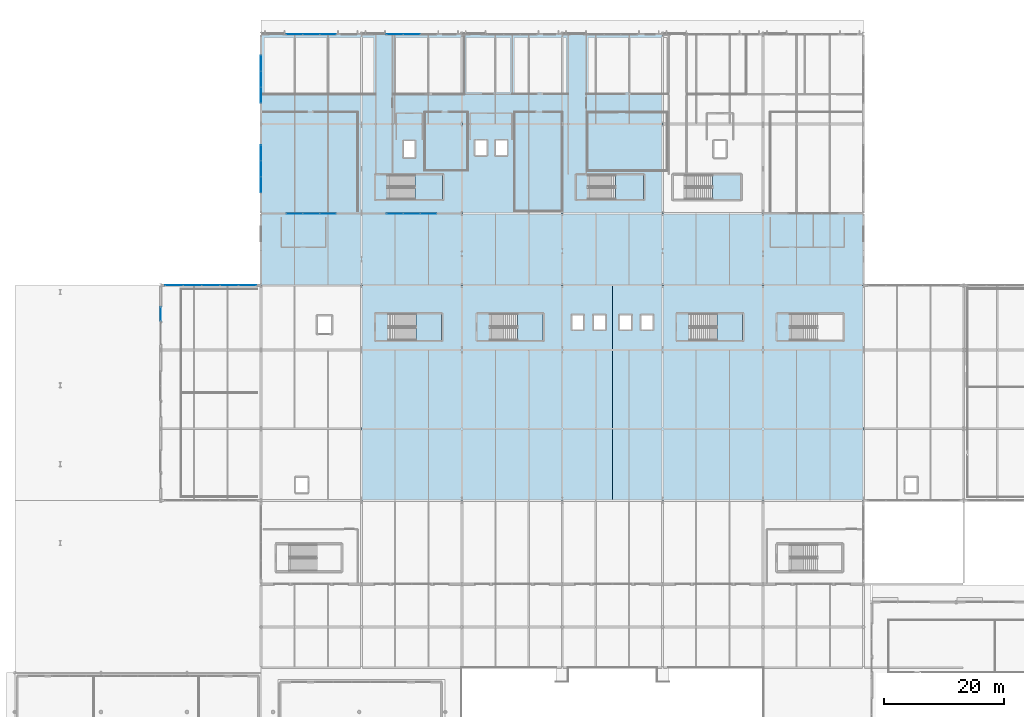
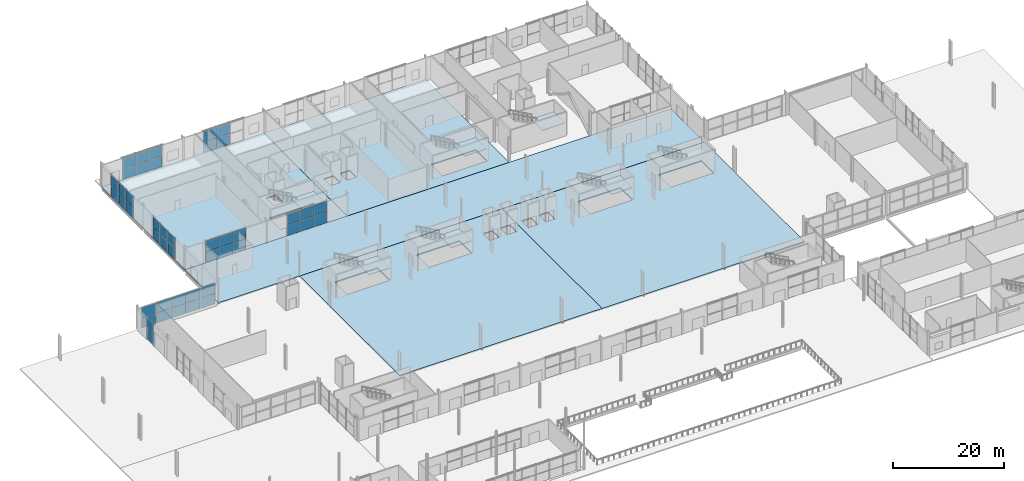
# One storey, part 54 of 87: 46 plates, 11 slabs, 14 elements without a shape of their own.
"""IFC4 building model written with IfcOpenShell, lengths in metres."""

from ifc_helpers import new_model, si_unit, direction, frame, origin, origin_2d, place, context, subcontext, project, spatial, polyline, rectangle, outline, extrude, material, layer, layer_set, type_object, element, aggregate, save


model = new_model("IFC4")

# Units and contexts
model_context = context("Model", 3, precision=1e-05, world=origin(), true_north=direction((0.0, 1.0)))
body_context = subcontext(model_context, "Body", "Model", "MODEL_VIEW")
ifc_project = project(units=[si_unit("LENGTHUNIT", "METRE"), si_unit("AREAUNIT", "SQUARE_METRE"), si_unit("VOLUMEUNIT", "CUBIC_METRE"), si_unit("PLANEANGLEUNIT", "RADIAN"), si_unit("MASSUNIT", "GRAM", prefix="KILO")], contexts=[model_context])

# Site, building, storey
site_placement = place(None, origin())
site = spatial("IfcSite", under=ifc_project, at=site_placement, CompositionType="ELEMENT")
building_placement = place(site_placement, origin())
building = spatial("IfcBuilding", under=site, at=building_placement, Name="Kimbaza Rail Terminus", CompositionType="ELEMENT")
storey_placement = place(building_placement, origin())
storey = spatial("IfcBuildingStorey", under=building, at=storey_placement, Name="L00", CompositionType="ELEMENT", Elevation=0.0)

# Curtain wall, plates
ifc_material_1 = material(Name="Anodised aluminium framing and solar low-E glazing", Category="aluminium")
curtain_wall_type_1 = type_object("IfcCurtainWallType", Name="ARC-CW-TH1", PredefinedType="USERDEFINED", material=ifc_material_1)
curtain_wall_1_placement = place(storey_placement, origin())
curtain_wall_1 = element("IfcCurtainWall", 1, at=curtain_wall_1_placement, inside=storey, type_object=curtain_wall_type_1, Name="Ticket Hall Wing W Curtain Wall L00.1", ObjectType="UNITISED CURTAIN WALL", PredefinedType="USERDEFINED")
ifc_material_2 = material(Name="Solar-control double low-E glazing", Category="glass")
ifc_layer_1 = layer(ifc_material_2, 0.035888671875)
ifc_layer_set_1 = layer_set([ifc_layer_1], Name="Solar-control double low-E glazing")
plate_type_1 = type_object("IfcPlateType", Name="ARC-CWP-01", PredefinedType="CURTAIN_PANEL", material=ifc_layer_set_1)
plate_1_placement = place(storey_placement, frame((40.6748046875, 91.0, 0.0751953125), z_axis=(0.0, 0.0, 1.0), x_axis=(1.0, 0.0, 0.0)))
plate_1 = element("IfcPlate", 2, at=plate_1_placement, type_object=plate_type_1, Name="CW-01 panel 1.1", PredefinedType="CURTAIN_PANEL", context=body_context, shape_type="SweptSolid", body=[
    extrude(rectangle(XDim=2.95947265625, YDim=0.035888671875, at=origin_2d()), origin(), (0.0, 0.0, 1.0), 2.199951171875),
])
plate_2_placement = place(storey_placement, frame((40.6748046875, 91.0, 2.35009765625), z_axis=(0.0, 0.0, 1.0), x_axis=(1.0, 0.0, 0.0)))
plate_2 = element("IfcPlate", 3, at=plate_2_placement, type_object=plate_type_1, Name="CW-01 panel 1.2", PredefinedType="CURTAIN_PANEL", context=body_context, shape_type="SweptSolid", body=[
    extrude(rectangle(XDim=2.95947265625, YDim=0.035888671875, at=origin_2d()), origin(), (0.0, 0.0, 1.0), 2.199951171875),
])
plate_3_placement = place(storey_placement, frame((43.72802734375, 91.0, 0.0751953125), z_axis=(0.0, 0.0, 1.0), x_axis=(1.0, 0.0, 0.0)))
plate_3 = element("IfcPlate", 4, at=plate_3_placement, type_object=plate_type_1, Name="CW-01 panel 2.1", PredefinedType="CURTAIN_PANEL", context=body_context, shape_type="SweptSolid", body=[
    extrude(rectangle(XDim=2.9970703125, YDim=0.035888671875, at=origin_2d()), origin(), (0.0, 0.0, 1.0), 2.199951171875),
])
plate_4_placement = place(storey_placement, frame((43.72802734375, 91.0, 2.35009765625), z_axis=(0.0, 0.0, 1.0), x_axis=(1.0, 0.0, 0.0)))
plate_4 = element("IfcPlate", 5, at=plate_4_placement, type_object=plate_type_1, Name="CW-01 panel 2.2", PredefinedType="CURTAIN_PANEL", context=body_context, shape_type="SweptSolid", body=[
    extrude(rectangle(XDim=2.9970703125, YDim=0.035888671875, at=origin_2d()), origin(), (0.0, 0.0, 1.0), 2.199951171875),
])
plate_5_placement = place(storey_placement, frame((46.800048828125, 91.0, 0.0751953125), z_axis=(0.0, 0.0, 1.0), x_axis=(1.0, 0.0, 0.0)))
plate_5 = element("IfcPlate", 6, at=plate_5_placement, type_object=plate_type_1, Name="CW-01 panel 3.1", PredefinedType="CURTAIN_PANEL", context=body_context, shape_type="SweptSolid", body=[
    extrude(rectangle(XDim=2.9970703125, YDim=0.035888671875, at=origin_2d()), origin(), (0.0, 0.0, 1.0), 2.199951171875),
])
plate_6_placement = place(storey_placement, frame((46.800048828125, 91.0, 2.35009765625), z_axis=(0.0, 0.0, 1.0), x_axis=(1.0, 0.0, 0.0)))
plate_6 = element("IfcPlate", 7, at=plate_6_placement, type_object=plate_type_1, Name="CW-01 panel 3.2", PredefinedType="CURTAIN_PANEL", context=body_context, shape_type="SweptSolid", body=[
    extrude(rectangle(XDim=2.9970703125, YDim=0.035888671875, at=origin_2d()), origin(), (0.0, 0.0, 1.0), 2.199951171875),
])
plate_7_placement = place(storey_placement, frame((49.8720703125, 91.0, 0.0751953125), z_axis=(0.0, 0.0, 1.0), x_axis=(1.0, 0.0, 0.0)))
plate_7 = element("IfcPlate", 8, at=plate_7_placement, type_object=plate_type_1, Name="CW-01 panel 4.1", PredefinedType="CURTAIN_PANEL", context=body_context, shape_type="SweptSolid", body=[
    extrude(rectangle(XDim=2.9970703125, YDim=0.035888671875, at=origin_2d()), origin(), (0.0, 0.0, 1.0), 2.199951171875),
])
plate_8_placement = place(storey_placement, frame((49.8720703125, 91.0, 2.35009765625), z_axis=(0.0, 0.0, 1.0), x_axis=(1.0, 0.0, 0.0)))
plate_8 = element("IfcPlate", 9, at=plate_8_placement, type_object=plate_type_1, Name="CW-01 panel 4.2", PredefinedType="CURTAIN_PANEL", context=body_context, shape_type="SweptSolid", body=[
    extrude(rectangle(XDim=2.9970703125, YDim=0.035888671875, at=origin_2d()), origin(), (0.0, 0.0, 1.0), 2.199951171875),
])
plate_9_placement = place(storey_placement, frame((52.92529296875, 91.0, 0.0751953125), z_axis=(0.0, 0.0, 1.0), x_axis=(1.0, 0.0, 0.0)))
plate_9 = element("IfcPlate", 10, at=plate_9_placement, type_object=plate_type_1, Name="CW-01 panel 5.1", PredefinedType="CURTAIN_PANEL", context=body_context, shape_type="SweptSolid", body=[
    extrude(rectangle(XDim=2.95947265625, YDim=0.035888671875, at=origin_2d()), origin(), (0.0, 0.0, 1.0), 2.199951171875),
])
plate_10_placement = place(storey_placement, frame((52.92529296875, 91.0, 2.35009765625), z_axis=(0.0, 0.0, 1.0), x_axis=(1.0, 0.0, 0.0)))
plate_10 = element("IfcPlate", 11, at=plate_10_placement, type_object=plate_type_1, Name="CW-01 panel 5.2", PredefinedType="CURTAIN_PANEL", context=body_context, shape_type="SweptSolid", body=[
    extrude(rectangle(XDim=2.95947265625, YDim=0.035888671875, at=origin_2d()), origin(), (0.0, 0.0, 1.0), 2.199951171875),
])
aggregate(curtain_wall_1, [plate_1, plate_2, plate_3, plate_4, plate_5, plate_6, plate_7, plate_8, plate_9, plate_10])

curtain_wall_2_placement = place(storey_placement, origin())
curtain_wall_2 = element("IfcCurtainWall", 12, at=curtain_wall_2_placement, inside=storey, type_object=curtain_wall_type_1, Name="Ticket Hall W Glazing L00.3", ObjectType="UNITISED CURTAIN WALL", PredefinedType="USERDEFINED")
plate_11_placement = place(storey_placement, frame((38.39990234375, 86.199951171875, 0.074951171875), z_axis=(0.0, 0.0, 1.0), x_axis=(0.0, 1.0, 0.0)))
plate_11 = element("IfcPlate", 13, at=plate_11_placement, type_object=plate_type_1, Name="CW-01 panel 1.1", PredefinedType="CURTAIN_PANEL", context=body_context, shape_type="SweptSolid", body=[
    extrude(rectangle(XDim=2.25, YDim=0.035888671875, at=origin_2d()), origin(), (0.0, 0.0, 1.0), 2.22509765625),
])
plate_12_placement = place(storey_placement, frame((38.39990234375, 86.199951171875, 2.375), z_axis=(0.0, 0.0, 1.0), x_axis=(0.0, 1.0, 0.0)))
plate_12 = element("IfcPlate", 14, at=plate_12_placement, type_object=plate_type_1, Name="CW-01 panel 1.2", PredefinedType="CURTAIN_PANEL", context=body_context, shape_type="SweptSolid", body=[
    extrude(rectangle(XDim=2.25, YDim=0.035888671875, at=origin_2d()), origin(), (0.0, 0.0, 1.0), 2.22509765625),
])
aggregate(curtain_wall_2, [plate_11, plate_12])

ifc_material_3 = material(Name="Anodised aluminium framing and solar low-E glazing", Category="aluminium")
curtain_wall_type_2 = type_object("IfcCurtainWallType", Name="ARC-CW-OP1", PredefinedType="USERDEFINED", material=ifc_material_3)
curtain_wall_3_placement = place(storey_placement, origin())
curtain_wall_3 = element("IfcCurtainWall", 15, at=curtain_wall_3_placement, inside=storey, type_object=curtain_wall_type_2, Name="Operations North Curtain Wall L00 Bay 1", ObjectType="UNITISED CURTAIN WALL", PredefinedType="USERDEFINED")
ifc_material_4 = material(Name="Solar-control double low-E glazing", Category="glass")
ifc_layer_2 = layer(ifc_material_4, 0.02490234375)
ifc_layer_set_2 = layer_set([ifc_layer_2], Name="Solar-control double low-E glazing")
plate_type_2 = type_object("IfcPlateType", Name="ARC-CWP-05", PredefinedType="CURTAIN_PANEL", material=ifc_layer_set_2)
plate_13_placement = place(storey_placement, frame((60.8154296875, 133.0, 0.06201171875), z_axis=(0.0, 0.0, 1.0), x_axis=(1.0, 0.0, 0.0)))
plate_13 = element("IfcPlate", 16, at=plate_13_placement, type_object=plate_type_2, Name="CW-05 panel 1.1", PredefinedType="CURTAIN_PANEL", context=body_context, shape_type="SweptSolid", body=[
    extrude(rectangle(XDim=2.70703125, YDim=0.02490234375, at=origin_2d()), origin(), (0.0, 0.0, 1.0), 2.28955078125),
])
plate_14_placement = place(storey_placement, frame((60.8154296875, 133.0, 2.41357421875), z_axis=(0.0, 0.0, 1.0), x_axis=(1.0, 0.0, 0.0)))
plate_14 = element("IfcPlate", 17, at=plate_14_placement, type_object=plate_type_2, Name="CW-05 panel 1.2", PredefinedType="CURTAIN_PANEL", context=body_context, shape_type="SweptSolid", body=[
    extrude(rectangle(XDim=2.70703125, YDim=0.02490234375, at=origin_2d()), origin(), (0.0, 0.0, 1.0), 2.28955078125),
])
plate_15_placement = place(storey_placement, frame((63.60009765625, 133.0, 0.06201171875), z_axis=(0.0, 0.0, 1.0), x_axis=(1.0, 0.0, 0.0)))
plate_15 = element("IfcPlate", 18, at=plate_15_placement, type_object=plate_type_2, Name="CW-05 panel 2.1", PredefinedType="CURTAIN_PANEL", context=body_context, shape_type="SweptSolid", body=[
    extrude(rectangle(XDim=2.738037109375, YDim=0.02490234375, at=origin_2d()), origin(), (0.0, 0.0, 1.0), 2.28955078125),
])
plate_16_placement = place(storey_placement, frame((63.60009765625, 133.0, 2.41357421875), z_axis=(0.0, 0.0, 1.0), x_axis=(1.0, 0.0, 0.0)))
plate_16 = element("IfcPlate", 19, at=plate_16_placement, type_object=plate_type_2, Name="CW-05 panel 2.2", PredefinedType="CURTAIN_PANEL", context=body_context, shape_type="SweptSolid", body=[
    extrude(rectangle(XDim=2.738037109375, YDim=0.02490234375, at=origin_2d()), origin(), (0.0, 0.0, 1.0), 2.28955078125),
])
plate_17_placement = place(storey_placement, frame((66.384521484375, 133.0, 0.06201171875), z_axis=(0.0, 0.0, 1.0), x_axis=(1.0, 0.0, 0.0)))
plate_17 = element("IfcPlate", 20, at=plate_17_placement, type_object=plate_type_2, Name="CW-05 panel 3.1", PredefinedType="CURTAIN_PANEL", context=body_context, shape_type="SweptSolid", body=[
    extrude(rectangle(XDim=2.70703125, YDim=0.02490234375, at=origin_2d()), origin(), (0.0, 0.0, 1.0), 2.28955078125),
])
plate_18_placement = place(storey_placement, frame((66.384521484375, 133.0, 2.41357421875), z_axis=(0.0, 0.0, 1.0), x_axis=(1.0, 0.0, 0.0)))
plate_18 = element("IfcPlate", 21, at=plate_18_placement, type_object=plate_type_2, Name="CW-05 panel 3.2", PredefinedType="CURTAIN_PANEL", context=body_context, shape_type="SweptSolid", body=[
    extrude(rectangle(XDim=2.70703125, YDim=0.02490234375, at=origin_2d()), origin(), (0.0, 0.0, 1.0), 2.28955078125),
])
aggregate(curtain_wall_3, [plate_13, plate_14, plate_15, plate_16, plate_17, plate_18])

curtain_wall_4_placement = place(storey_placement, origin())
curtain_wall_4 = element("IfcCurtainWall", 22, at=curtain_wall_4_placement, inside=storey, type_object=curtain_wall_type_2, Name="Operations North Curtain Wall L00 Bay 2", ObjectType="UNITISED CURTAIN WALL", PredefinedType="USERDEFINED")
plate_19_placement = place(storey_placement, frame((77.615478515625, 133.0, 0.06201171875), z_axis=(0.0, 0.0, 1.0), x_axis=(1.0, 0.0, 0.0)))
plate_19 = element("IfcPlate", 23, at=plate_19_placement, type_object=plate_type_2, Name="CW-05 panel 1.1", PredefinedType="CURTAIN_PANEL", context=body_context, shape_type="SweptSolid", body=[
    extrude(rectangle(XDim=2.70703125, YDim=0.02490234375, at=origin_2d()), origin(), (0.0, 0.0, 1.0), 2.28955078125),
])
plate_20_placement = place(storey_placement, frame((77.615478515625, 133.0, 2.41357421875), z_axis=(0.0, 0.0, 1.0), x_axis=(1.0, 0.0, 0.0)))
plate_20 = element("IfcPlate", 24, at=plate_20_placement, type_object=plate_type_2, Name="CW-05 panel 1.2", PredefinedType="CURTAIN_PANEL", context=body_context, shape_type="SweptSolid", body=[
    extrude(rectangle(XDim=2.70703125, YDim=0.02490234375, at=origin_2d()), origin(), (0.0, 0.0, 1.0), 2.28955078125),
])
plate_21_placement = place(storey_placement, frame((80.39990234375, 133.0, 0.06201171875), z_axis=(0.0, 0.0, 1.0), x_axis=(1.0, 0.0, 0.0)))
plate_21 = element("IfcPlate", 25, at=plate_21_placement, type_object=plate_type_2, Name="CW-05 panel 2.1", PredefinedType="CURTAIN_PANEL", context=body_context, shape_type="SweptSolid", body=[
    extrude(rectangle(XDim=2.738037109375, YDim=0.02490234375, at=origin_2d()), origin(), (0.0, 0.0, 1.0), 2.28955078125),
])
plate_22_placement = place(storey_placement, frame((80.39990234375, 133.0, 2.41357421875), z_axis=(0.0, 0.0, 1.0), x_axis=(1.0, 0.0, 0.0)))
plate_22 = element("IfcPlate", 26, at=plate_22_placement, type_object=plate_type_2, Name="CW-05 panel 2.2", PredefinedType="CURTAIN_PANEL", context=body_context, shape_type="SweptSolid", body=[
    extrude(rectangle(XDim=2.738037109375, YDim=0.02490234375, at=origin_2d()), origin(), (0.0, 0.0, 1.0), 2.28955078125),
])
aggregate(curtain_wall_4, [plate_19, plate_20, plate_21, plate_22])

curtain_wall_5_placement = place(storey_placement, origin())
curtain_wall_5 = element("IfcCurtainWall", 27, at=curtain_wall_5_placement, inside=storey, type_object=curtain_wall_type_2, Name="Operations South Curtain Wall L00 Bay 1", ObjectType="UNITISED CURTAIN WALL", PredefinedType="USERDEFINED")
plate_23_placement = place(storey_placement, frame((60.8154296875, 103.0, 0.06201171875), z_axis=(0.0, 0.0, 1.0), x_axis=(1.0, 0.0, 0.0)))
plate_23 = element("IfcPlate", 28, at=plate_23_placement, type_object=plate_type_2, Name="CW-05 panel 1.1", PredefinedType="CURTAIN_PANEL", context=body_context, shape_type="SweptSolid", body=[
    extrude(rectangle(XDim=2.70703125, YDim=0.02490234375, at=origin_2d()), origin(), (0.0, 0.0, 1.0), 2.28955078125),
])
plate_24_placement = place(storey_placement, frame((60.8154296875, 103.0, 2.41357421875), z_axis=(0.0, 0.0, 1.0), x_axis=(1.0, 0.0, 0.0)))
plate_24 = element("IfcPlate", 29, at=plate_24_placement, type_object=plate_type_2, Name="CW-05 panel 1.2", PredefinedType="CURTAIN_PANEL", context=body_context, shape_type="SweptSolid", body=[
    extrude(rectangle(XDim=2.70703125, YDim=0.02490234375, at=origin_2d()), origin(), (0.0, 0.0, 1.0), 2.28955078125),
])
plate_25_placement = place(storey_placement, frame((63.60009765625, 103.0, 0.06201171875), z_axis=(0.0, 0.0, 1.0), x_axis=(1.0, 0.0, 0.0)))
plate_25 = element("IfcPlate", 30, at=plate_25_placement, type_object=plate_type_2, Name="CW-05 panel 2.1", PredefinedType="CURTAIN_PANEL", context=body_context, shape_type="SweptSolid", body=[
    extrude(rectangle(XDim=2.738037109375, YDim=0.02490234375, at=origin_2d()), origin(), (0.0, 0.0, 1.0), 2.28955078125),
])
plate_26_placement = place(storey_placement, frame((63.60009765625, 103.0, 2.41357421875), z_axis=(0.0, 0.0, 1.0), x_axis=(1.0, 0.0, 0.0)))
plate_26 = element("IfcPlate", 31, at=plate_26_placement, type_object=plate_type_2, Name="CW-05 panel 2.2", PredefinedType="CURTAIN_PANEL", context=body_context, shape_type="SweptSolid", body=[
    extrude(rectangle(XDim=2.738037109375, YDim=0.02490234375, at=origin_2d()), origin(), (0.0, 0.0, 1.0), 2.28955078125),
])
plate_27_placement = place(storey_placement, frame((66.384521484375, 103.0, 0.06201171875), z_axis=(0.0, 0.0, 1.0), x_axis=(1.0, 0.0, 0.0)))
plate_27 = element("IfcPlate", 32, at=plate_27_placement, type_object=plate_type_2, Name="CW-05 panel 3.1", PredefinedType="CURTAIN_PANEL", context=body_context, shape_type="SweptSolid", body=[
    extrude(rectangle(XDim=2.70703125, YDim=0.02490234375, at=origin_2d()), origin(), (0.0, 0.0, 1.0), 2.28955078125),
])
plate_28_placement = place(storey_placement, frame((66.384521484375, 103.0, 2.41357421875), z_axis=(0.0, 0.0, 1.0), x_axis=(1.0, 0.0, 0.0)))
plate_28 = element("IfcPlate", 33, at=plate_28_placement, type_object=plate_type_2, Name="CW-05 panel 3.2", PredefinedType="CURTAIN_PANEL", context=body_context, shape_type="SweptSolid", body=[
    extrude(rectangle(XDim=2.70703125, YDim=0.02490234375, at=origin_2d()), origin(), (0.0, 0.0, 1.0), 2.28955078125),
])
aggregate(curtain_wall_5, [plate_23, plate_24, plate_25, plate_26, plate_27, plate_28])

curtain_wall_6_placement = place(storey_placement, origin())
curtain_wall_6 = element("IfcCurtainWall", 34, at=curtain_wall_6_placement, inside=storey, type_object=curtain_wall_type_2, Name="Operations South Curtain Wall L00 Bay 2", ObjectType="UNITISED CURTAIN WALL", PredefinedType="USERDEFINED")
plate_29_placement = place(storey_placement, frame((77.615478515625, 103.0, 0.06201171875), z_axis=(0.0, 0.0, 1.0), x_axis=(1.0, 0.0, 0.0)))
plate_29 = element("IfcPlate", 35, at=plate_29_placement, type_object=plate_type_2, Name="CW-05 panel 1.1", PredefinedType="CURTAIN_PANEL", context=body_context, shape_type="SweptSolid", body=[
    extrude(rectangle(XDim=2.70703125, YDim=0.02490234375, at=origin_2d()), origin(), (0.0, 0.0, 1.0), 2.28955078125),
])
plate_30_placement = place(storey_placement, frame((77.615478515625, 103.0, 2.41357421875), z_axis=(0.0, 0.0, 1.0), x_axis=(1.0, 0.0, 0.0)))
plate_30 = element("IfcPlate", 36, at=plate_30_placement, type_object=plate_type_2, Name="CW-05 panel 1.2", PredefinedType="CURTAIN_PANEL", context=body_context, shape_type="SweptSolid", body=[
    extrude(rectangle(XDim=2.70703125, YDim=0.02490234375, at=origin_2d()), origin(), (0.0, 0.0, 1.0), 2.28955078125),
])
plate_31_placement = place(storey_placement, frame((80.39990234375, 103.0, 0.06201171875), z_axis=(0.0, 0.0, 1.0), x_axis=(1.0, 0.0, 0.0)))
plate_31 = element("IfcPlate", 37, at=plate_31_placement, type_object=plate_type_2, Name="CW-05 panel 2.1", PredefinedType="CURTAIN_PANEL", context=body_context, shape_type="SweptSolid", body=[
    extrude(rectangle(XDim=2.738037109375, YDim=0.02490234375, at=origin_2d()), origin(), (0.0, 0.0, 1.0), 2.28955078125),
])
plate_32_placement = place(storey_placement, frame((80.39990234375, 103.0, 2.41357421875), z_axis=(0.0, 0.0, 1.0), x_axis=(1.0, 0.0, 0.0)))
plate_32 = element("IfcPlate", 38, at=plate_32_placement, type_object=plate_type_2, Name="CW-05 panel 2.2", PredefinedType="CURTAIN_PANEL", context=body_context, shape_type="SweptSolid", body=[
    extrude(rectangle(XDim=2.738037109375, YDim=0.02490234375, at=origin_2d()), origin(), (0.0, 0.0, 1.0), 2.28955078125),
])
plate_33_placement = place(storey_placement, frame((83.1845703125, 103.0, 0.06201171875), z_axis=(0.0, 0.0, 1.0), x_axis=(1.0, 0.0, 0.0)))
plate_33 = element("IfcPlate", 39, at=plate_33_placement, type_object=plate_type_2, Name="CW-05 panel 3.1", PredefinedType="CURTAIN_PANEL", context=body_context, shape_type="SweptSolid", body=[
    extrude(rectangle(XDim=2.70703125, YDim=0.02490234375, at=origin_2d()), origin(), (0.0, 0.0, 1.0), 2.28955078125),
])
plate_34_placement = place(storey_placement, frame((83.1845703125, 103.0, 2.41357421875), z_axis=(0.0, 0.0, 1.0), x_axis=(1.0, 0.0, 0.0)))
plate_34 = element("IfcPlate", 40, at=plate_34_placement, type_object=plate_type_2, Name="CW-05 panel 3.2", PredefinedType="CURTAIN_PANEL", context=body_context, shape_type="SweptSolid", body=[
    extrude(rectangle(XDim=2.70703125, YDim=0.02490234375, at=origin_2d()), origin(), (0.0, 0.0, 1.0), 2.28955078125),
])
aggregate(curtain_wall_6, [plate_29, plate_30, plate_31, plate_32, plate_33, plate_34])

curtain_wall_7_placement = place(storey_placement, origin())
curtain_wall_7 = element("IfcCurtainWall", 41, at=curtain_wall_7_placement, inside=storey, type_object=curtain_wall_type_2, Name="Operations W Curtain Wall L00.1", ObjectType="UNITISED CURTAIN WALL", PredefinedType="USERDEFINED")
plate_35_placement = place(storey_placement, frame((55.199951171875, 107.848876953125, 0.06201171875), z_axis=(0.0, 0.0, 1.0), x_axis=(0.0, 1.0, 0.0)))
plate_35 = element("IfcPlate", 42, at=plate_35_placement, type_object=plate_type_2, Name="CW-05 panel 1.1", PredefinedType="CURTAIN_PANEL", context=body_context, shape_type="SweptSolid", body=[
    extrude(rectangle(XDim=2.57373046875, YDim=0.02490234375, at=origin_2d()), origin(), (0.0, 0.0, 1.0), 2.28955078125),
])
plate_36_placement = place(storey_placement, frame((55.199951171875, 107.848876953125, 2.41357421875), z_axis=(0.0, 0.0, 1.0), x_axis=(0.0, 1.0, 0.0)))
plate_36 = element("IfcPlate", 43, at=plate_36_placement, type_object=plate_type_2, Name="CW-05 panel 1.2", PredefinedType="CURTAIN_PANEL", context=body_context, shape_type="SweptSolid", body=[
    extrude(rectangle(XDim=2.57373046875, YDim=0.02490234375, at=origin_2d()), origin(), (0.0, 0.0, 1.0), 2.28955078125),
])
plate_37_placement = place(storey_placement, frame((55.199951171875, 110.5, 0.06201171875), z_axis=(0.0, 0.0, 1.0), x_axis=(0.0, 1.0, 0.0)))
plate_37 = element("IfcPlate", 44, at=plate_37_placement, type_object=plate_type_2, Name="CW-05 panel 2.1", PredefinedType="CURTAIN_PANEL", context=body_context, shape_type="SweptSolid", body=[
    extrude(rectangle(XDim=2.604736328125, YDim=0.02490234375, at=origin_2d()), origin(), (0.0, 0.0, 1.0), 2.28955078125),
])
plate_38_placement = place(storey_placement, frame((55.199951171875, 110.5, 2.41357421875), z_axis=(0.0, 0.0, 1.0), x_axis=(0.0, 1.0, 0.0)))
plate_38 = element("IfcPlate", 45, at=plate_38_placement, type_object=plate_type_2, Name="CW-05 panel 2.2", PredefinedType="CURTAIN_PANEL", context=body_context, shape_type="SweptSolid", body=[
    extrude(rectangle(XDim=2.604736328125, YDim=0.02490234375, at=origin_2d()), origin(), (0.0, 0.0, 1.0), 2.28955078125),
])
plate_39_placement = place(storey_placement, frame((55.199951171875, 113.151123046875, 0.06201171875), z_axis=(0.0, 0.0, 1.0), x_axis=(0.0, 1.0, 0.0)))
plate_39 = element("IfcPlate", 46, at=plate_39_placement, type_object=plate_type_2, Name="CW-05 panel 3.1", PredefinedType="CURTAIN_PANEL", context=body_context, shape_type="SweptSolid", body=[
    extrude(rectangle(XDim=2.57373046875, YDim=0.02490234375, at=origin_2d()), origin(), (0.0, 0.0, 1.0), 2.28955078125),
])
plate_40_placement = place(storey_placement, frame((55.199951171875, 113.151123046875, 2.41357421875), z_axis=(0.0, 0.0, 1.0), x_axis=(0.0, 1.0, 0.0)))
plate_40 = element("IfcPlate", 47, at=plate_40_placement, type_object=plate_type_2, Name="CW-05 panel 3.2", PredefinedType="CURTAIN_PANEL", context=body_context, shape_type="SweptSolid", body=[
    extrude(rectangle(XDim=2.57373046875, YDim=0.02490234375, at=origin_2d()), origin(), (0.0, 0.0, 1.0), 2.28955078125),
])
aggregate(curtain_wall_7, [plate_35, plate_36, plate_37, plate_38, plate_39, plate_40])

curtain_wall_8_placement = place(storey_placement, origin())
curtain_wall_8 = element("IfcCurtainWall", 48, at=curtain_wall_8_placement, inside=storey, type_object=curtain_wall_type_2, Name="Operations W Curtain Wall L00.2", ObjectType="UNITISED CURTAIN WALL", PredefinedType="USERDEFINED")
plate_41_placement = place(storey_placement, frame((55.199951171875, 122.848876953125, 0.06201171875), z_axis=(0.0, 0.0, 1.0), x_axis=(0.0, 1.0, 0.0)))
plate_41 = element("IfcPlate", 49, at=plate_41_placement, type_object=plate_type_2, Name="CW-05 panel 1.1", PredefinedType="CURTAIN_PANEL", context=body_context, shape_type="SweptSolid", body=[
    extrude(rectangle(XDim=2.57373046875, YDim=0.02490234375, at=origin_2d()), origin(), (0.0, 0.0, 1.0), 2.28955078125),
])
plate_42_placement = place(storey_placement, frame((55.199951171875, 122.848876953125, 2.41357421875), z_axis=(0.0, 0.0, 1.0), x_axis=(0.0, 1.0, 0.0)))
plate_42 = element("IfcPlate", 50, at=plate_42_placement, type_object=plate_type_2, Name="CW-05 panel 1.2", PredefinedType="CURTAIN_PANEL", context=body_context, shape_type="SweptSolid", body=[
    extrude(rectangle(XDim=2.57373046875, YDim=0.02490234375, at=origin_2d()), origin(), (0.0, 0.0, 1.0), 2.28955078125),
])
plate_43_placement = place(storey_placement, frame((55.199951171875, 125.5, 0.06201171875), z_axis=(0.0, 0.0, 1.0), x_axis=(0.0, 1.0, 0.0)))
plate_43 = element("IfcPlate", 51, at=plate_43_placement, type_object=plate_type_2, Name="CW-05 panel 2.1", PredefinedType="CURTAIN_PANEL", context=body_context, shape_type="SweptSolid", body=[
    extrude(rectangle(XDim=2.604736328125, YDim=0.02490234375, at=origin_2d()), origin(), (0.0, 0.0, 1.0), 2.28955078125),
])
plate_44_placement = place(storey_placement, frame((55.199951171875, 125.5, 2.41357421875), z_axis=(0.0, 0.0, 1.0), x_axis=(0.0, 1.0, 0.0)))
plate_44 = element("IfcPlate", 52, at=plate_44_placement, type_object=plate_type_2, Name="CW-05 panel 2.2", PredefinedType="CURTAIN_PANEL", context=body_context, shape_type="SweptSolid", body=[
    extrude(rectangle(XDim=2.604736328125, YDim=0.02490234375, at=origin_2d()), origin(), (0.0, 0.0, 1.0), 2.28955078125),
])
plate_45_placement = place(storey_placement, frame((55.199951171875, 128.151123046875, 0.06201171875), z_axis=(0.0, 0.0, 1.0), x_axis=(0.0, 1.0, 0.0)))
plate_45 = element("IfcPlate", 53, at=plate_45_placement, type_object=plate_type_2, Name="CW-05 panel 3.1", PredefinedType="CURTAIN_PANEL", context=body_context, shape_type="SweptSolid", body=[
    extrude(rectangle(XDim=2.57373046875, YDim=0.02490234375, at=origin_2d()), origin(), (0.0, 0.0, 1.0), 2.28955078125),
])
plate_46_placement = place(storey_placement, frame((55.199951171875, 128.151123046875, 2.41357421875), z_axis=(0.0, 0.0, 1.0), x_axis=(0.0, 1.0, 0.0)))
plate_46 = element("IfcPlate", 54, at=plate_46_placement, type_object=plate_type_2, Name="CW-05 panel 3.2", PredefinedType="CURTAIN_PANEL", context=body_context, shape_type="SweptSolid", body=[
    extrude(rectangle(XDim=2.57373046875, YDim=0.02490234375, at=origin_2d()), origin(), (0.0, 0.0, 1.0), 2.28955078125),
])
aggregate(curtain_wall_8, [plate_41, plate_42, plate_43, plate_44, plate_45, plate_46])

# Slabs
ifc_material_5 = material(Name="Concrete C40/50", Category="concrete")
ifc_layer_3 = layer(ifc_material_5, 0.25)
ifc_layer_set_3 = layer_set([ifc_layer_3], Name="Concrete C40/50")
slab_type_1 = type_object("IfcSlabType", Name="STR-SL-CON250", PredefinedType="FLOOR", material=ifc_layer_set_3)
slab_1_placement = place(storey_placement, frame((0.0, 0.0, -0.25)))
element("IfcSlab", 55, at=slab_1_placement, inside=storey, type_object=slab_type_1, Name="Concourse L00 Slab SLB-V2-L00-HALL1", PredefinedType="FLOOR", context=body_context, shape_type="SweptSolid", body=[
    extrude(outline(polyline([(72.0, 55.0), (114.0, 55.0), (114.0, 91.0), (72.0, 91.0), (72.0, 55.0)]), holes=[polyline([(76.52490234375, 81.800048828125), (85.39990234375, 81.800048828125), (85.39990234375, 86.199951171875), (76.52490234375, 86.199951171875), (76.52490234375, 81.800048828125)]), polyline([(93.52490234375, 81.800048828125), (102.39990234375, 81.800048828125), (102.39990234375, 86.199951171875), (93.52490234375, 86.199951171875), (93.52490234375, 81.800048828125)]), polyline([(107.25, 83.60009765625), (109.14990234375, 83.60009765625), (109.14990234375, 86.0), (107.25, 86.0), (107.25, 83.60009765625)]), polyline([(110.85009765625, 83.60009765625), (112.75, 83.60009765625), (112.75, 86.0), (110.85009765625, 86.0), (110.85009765625, 83.60009765625)])]), origin(), (0.0, 0.0, 1.0), 0.25),
])
slab_2_placement = place(storey_placement, frame((0.0, 0.0, -0.25)))
element("IfcSlab", 56, at=slab_2_placement, inside=storey, type_object=slab_type_1, Name="Concourse L00 Slab SLB-V2-L00-HALL2", PredefinedType="FLOOR", context=body_context, shape_type="SweptSolid", body=[
    extrude(outline(polyline([(114.0, 55.0), (156.0, 55.0), (156.0, 91.0), (114.0, 91.0), (114.0, 55.0)]), holes=[polyline([(143.72509765625, 81.800048828125), (152.60009765625, 81.800048828125), (152.60009765625, 86.199951171875), (143.72509765625, 86.199951171875), (143.72509765625, 81.800048828125)]), polyline([(126.925048828125, 81.800048828125), (135.800048828125, 81.800048828125), (135.800048828125, 86.199951171875), (126.925048828125, 86.199951171875), (126.925048828125, 81.800048828125)]), polyline([(115.25, 83.60009765625), (117.14990234375, 83.60009765625), (117.14990234375, 86.0), (115.25, 86.0), (115.25, 83.60009765625)]), polyline([(118.85009765625, 83.60009765625), (120.75, 83.60009765625), (120.75, 86.0), (118.85009765625, 86.0), (118.85009765625, 83.60009765625)])]), origin(), (0.0, 0.0, 1.0), 0.25),
])
slab_3_placement = place(storey_placement, frame((0.0, 0.0, -0.25)))
element("IfcSlab", 57, at=slab_3_placement, inside=storey, type_object=slab_type_1, Name="Concourse L00 Slab SLB-V2-L00-LINK", PredefinedType="FLOOR", context=body_context, shape_type="SweptSolid", body=[
    extrude(outline(polyline([(55.199951171875, 91.0), (156.0, 91.0), (156.0, 103.0), (55.199951171875, 103.0), (55.199951171875, 91.0)])), origin(), (0.0, 0.0, 1.0), 0.25),
])

# Stair, slab
ifc_material_6 = material(Name="Concrete C40/50", Category="concrete")
stair_type_1 = type_object("IfcStairType", Name="ARC-STR-02", PredefinedType="HALF_TURN_STAIR", material=ifc_material_6)
stair_1_placement = place(storey_placement, origin())
stair_1 = element("IfcStair", 58, at=stair_1_placement, inside=storey, type_object=stair_type_1, Name="L00 Operations West Exit Stair", PredefinedType="HALF_TURN_STAIR")
ifc_material_7 = material(Name="Concrete C40/50", Category="concrete")
ifc_layer_4 = layer(ifc_material_7, 0.199951171875)
ifc_layer_set_4 = layer_set([ifc_layer_4], Name="Concrete C40/50")
slab_type_2 = type_object("IfcSlabType", Name="STR-SL-LND200", PredefinedType="LANDING", material=ifc_layer_set_4)
slab_4_placement = place(storey_placement, frame((0.0, 0.0, 2.5)))
slab_4 = element("IfcSlab", 59, at=slab_4_placement, type_object=slab_type_2, Name="ST-W1 landing 1", PredefinedType="LANDING", context=body_context, shape_type="SweptSolid", body=[
    extrude(outline(polyline([(80.93994140625, 105.39990234375), (85.60009765625, 105.39990234375), (85.60009765625, 109.43994140625), (80.93994140625, 109.43994140625), (80.93994140625, 105.39990234375)])), origin(), (0.0, 0.0, 1.0), 0.199951171875),
])
aggregate(stair_1, [slab_4])

stair_2_placement = place(storey_placement, origin())
stair_2 = element("IfcStair", 60, at=stair_2_placement, inside=storey, type_object=stair_type_1, Name="L00 Operations Central Exit Stair", PredefinedType="HALF_TURN_STAIR")
slab_5_placement = place(storey_placement, frame((0.0, 0.0, 2.5)))
slab_5 = element("IfcSlab", 61, at=slab_5_placement, type_object=slab_type_2, Name="ST-M1 landing 1", PredefinedType="LANDING", context=body_context, shape_type="SweptSolid", body=[
    extrude(outline(polyline([(114.5400390625, 105.39990234375), (119.199951171875, 105.39990234375), (119.199951171875, 109.43994140625), (114.5400390625, 109.43994140625), (114.5400390625, 105.39990234375)])), origin(), (0.0, 0.0, 1.0), 0.199951171875),
])
aggregate(stair_2, [slab_5])

stair_3_placement = place(storey_placement, origin())
stair_3 = element("IfcStair", 62, at=stair_3_placement, inside=storey, type_object=stair_type_1, Name="L00 Operations East Exit Stair", PredefinedType="HALF_TURN_STAIR")
slab_6_placement = place(storey_placement, frame((0.0, 0.0, 2.5)))
slab_6 = element("IfcSlab", 63, at=slab_6_placement, type_object=slab_type_2, Name="ST-E1 landing 1", PredefinedType="LANDING", context=body_context, shape_type="SweptSolid", body=[
    extrude(outline(polyline([(130.739990234375, 105.39990234375), (135.39990234375, 105.39990234375), (135.39990234375, 109.43994140625), (130.739990234375, 109.43994140625), (130.739990234375, 105.39990234375)])), origin(), (0.0, 0.0, 1.0), 0.199951171875),
])
aggregate(stair_3, [slab_6])

ifc_material_8 = material(Name="Concrete C40/50", Category="concrete")
stair_type_2 = type_object("IfcStairType", Name="ARC-STR-06", PredefinedType="HALF_TURN_STAIR", material=ifc_material_8)
stair_4_placement = place(storey_placement, origin())
stair_4 = element("IfcStair", 64, at=stair_4_placement, inside=storey, type_object=stair_type_2, Name="L00 Platform West Concourse Stair", PredefinedType="HALF_TURN_STAIR")
slab_7_placement = place(storey_placement, frame((0.0, 0.0, 2.5)))
slab_7 = element("IfcSlab", 65, at=slab_7_placement, type_object=slab_type_2, Name="ST-C1 landing 1", PredefinedType="LANDING", context=body_context, shape_type="SweptSolid", body=[
    extrude(outline(polyline([(81.1201171875, 81.800048828125), (85.39990234375, 81.800048828125), (85.39990234375, 86.199951171875), (81.1201171875, 86.199951171875), (81.1201171875, 81.800048828125)])), origin(), (0.0, 0.0, 1.0), 0.199951171875),
])
aggregate(stair_4, [slab_7])

stair_5_placement = place(storey_placement, origin())
stair_5 = element("IfcStair", 66, at=stair_5_placement, inside=storey, type_object=stair_type_2, Name="L00 Footbridge West Platform Stair", PredefinedType="HALF_TURN_STAIR")
slab_8_placement = place(storey_placement, frame((0.0, 0.0, 2.5)))
slab_8 = element("IfcSlab", 67, at=slab_8_placement, type_object=slab_type_2, Name="ST-C3 landing 1", PredefinedType="LANDING", context=body_context, shape_type="SweptSolid", body=[
    extrude(outline(polyline([(98.1201171875, 81.800048828125), (102.39990234375, 81.800048828125), (102.39990234375, 86.199951171875), (98.1201171875, 86.199951171875), (98.1201171875, 81.800048828125)])), origin(), (0.0, 0.0, 1.0), 0.199951171875),
])
aggregate(stair_5, [slab_8])

stair_6_placement = place(storey_placement, origin())
stair_6 = element("IfcStair", 68, at=stair_6_placement, inside=storey, type_object=stair_type_2, Name="L00 Footbridge East Platform Stair", PredefinedType="HALF_TURN_STAIR")
slab_9_placement = place(storey_placement, frame((0.0, 0.0, 2.5)))
slab_9 = element("IfcSlab", 69, at=slab_9_placement, type_object=slab_type_2, Name="ST-C4 landing 1", PredefinedType="LANDING", context=body_context, shape_type="SweptSolid", body=[
    extrude(outline(polyline([(131.52001953125, 81.800048828125), (135.800048828125, 81.800048828125), (135.800048828125, 86.199951171875), (131.52001953125, 86.199951171875), (131.52001953125, 81.800048828125)])), origin(), (0.0, 0.0, 1.0), 0.199951171875),
])
aggregate(stair_6, [slab_9])

# Slabs
ifc_material_9 = material(Name="Concrete C40/50", Category="concrete")
ifc_layer_5 = layer(ifc_material_9, 0.239990234375)
ifc_layer_set_5 = layer_set([ifc_layer_5], Name="Concrete C40/50")
slab_type_3 = type_object("IfcSlabType", Name="STR-SL-OPS240", PredefinedType="FLOOR", material=ifc_layer_set_5)
slab_10_placement = place(storey_placement, frame((0.0, 0.0, -0.239990234375)))
element("IfcSlab", 70, at=slab_10_placement, inside=storey, type_object=slab_type_3, Name="Operations Wing L00 Slab Zone 1", PredefinedType="FLOOR", context=body_context, shape_type="SweptSolid", body=[
    extrude(outline(polyline([(55.199951171875, 103.0), (88.800048828125, 103.0), (88.800048828125, 133.0), (55.199951171875, 133.0), (55.199951171875, 103.0)]), holes=[polyline([(76.344970703125, 105.39990234375), (85.60009765625, 105.39990234375), (85.60009765625, 109.43994140625), (76.344970703125, 109.43994140625), (76.344970703125, 105.39990234375)]), polyline([(79.050048828125, 112.449951171875), (80.949951171875, 112.449951171875), (80.949951171875, 115.14990234375), (79.050048828125, 115.14990234375), (79.050048828125, 112.449951171875)])]), origin(), (0.0, 0.0, 1.0), 0.239990234375),
])
slab_11_placement = place(storey_placement, frame((0.0, 0.0, -0.239990234375)))
element("IfcSlab", 71, at=slab_11_placement, inside=storey, type_object=slab_type_3, Name="Operations Wing L00 Slab Zone 2", PredefinedType="FLOOR", context=body_context, shape_type="SweptSolid", body=[
    extrude(outline(polyline([(88.800048828125, 103.0), (122.39990234375, 103.0), (122.39990234375, 133.0), (88.800048828125, 133.0), (88.800048828125, 103.0)]), holes=[polyline([(109.945068359375, 105.39990234375), (119.199951171875, 105.39990234375), (119.199951171875, 109.43994140625), (109.945068359375, 109.43994140625), (109.945068359375, 105.39990234375)]), polyline([(91.050048828125, 112.800048828125), (92.949951171875, 112.800048828125), (92.949951171875, 115.199951171875), (91.050048828125, 115.199951171875), (91.050048828125, 112.800048828125)]), polyline([(94.449951171875, 112.800048828125), (96.35009765625, 112.800048828125), (96.35009765625, 115.199951171875), (94.449951171875, 115.199951171875), (94.449951171875, 112.800048828125)])]), origin(), (0.0, 0.0, 1.0), 0.239990234375),
])

save(model, "model.ifc")
